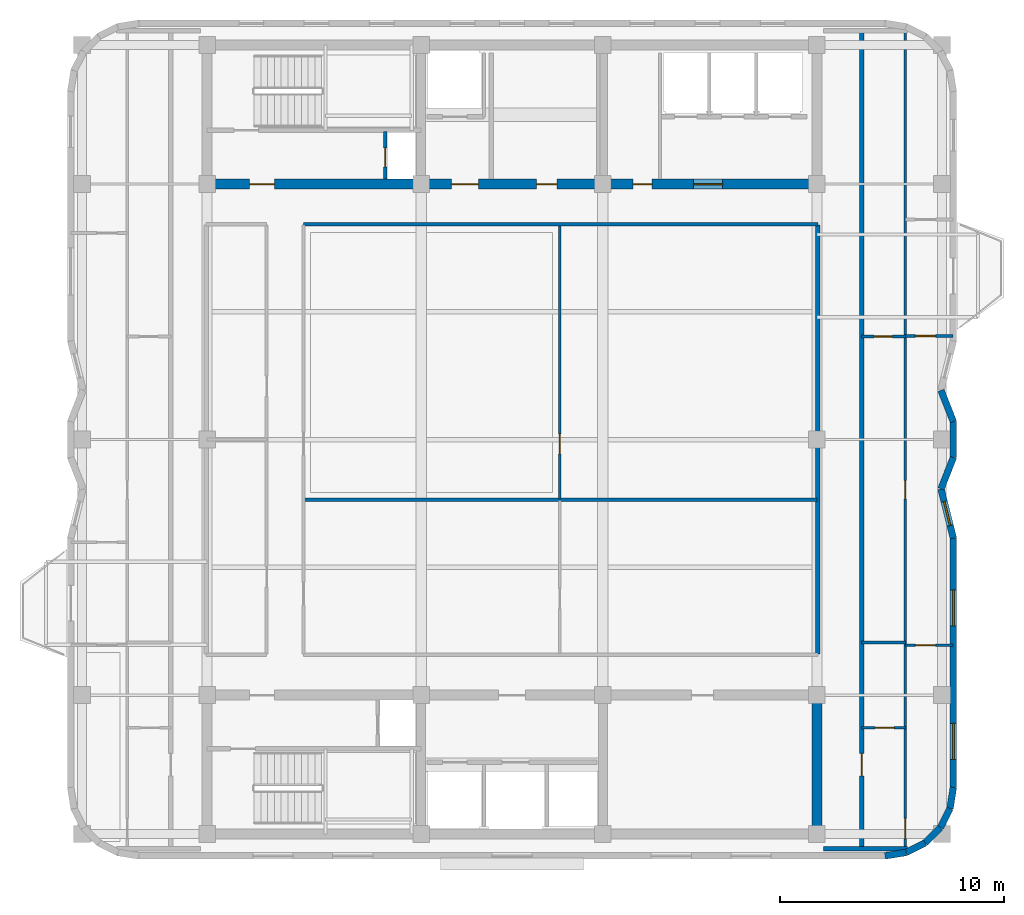
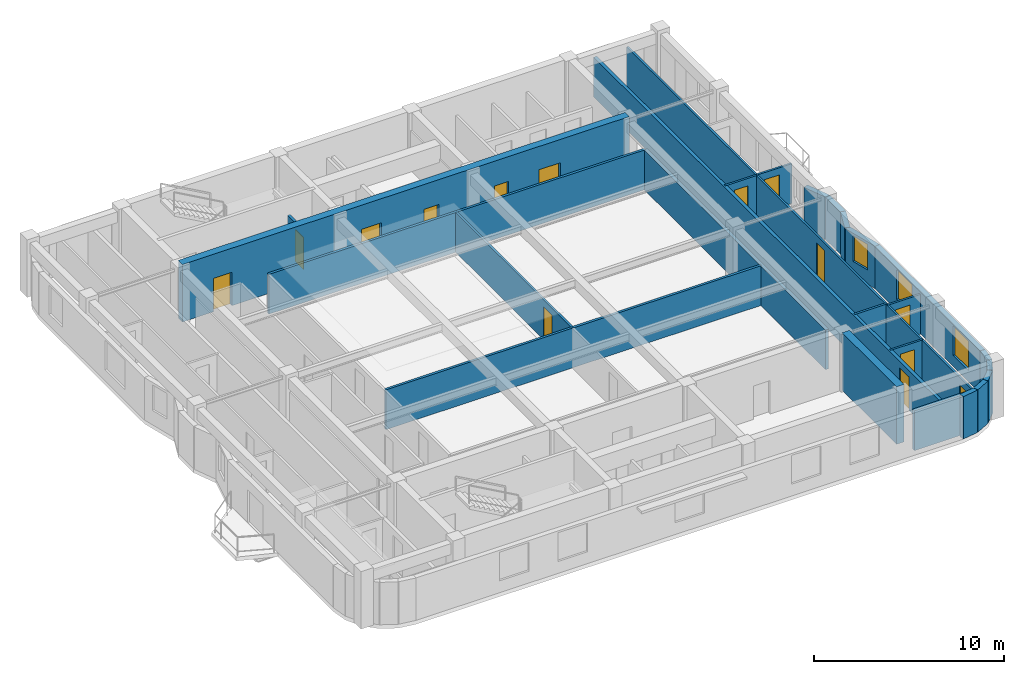
# One storey, part 4 of 8: 25 walls, 14 doors, 3 windows, 17 openings.
"""IFC4 building model written with IfcOpenShell, lengths in metres."""

import ifcopenshell
import ifcopenshell.guid

model = None  # the IFC model being written
_history = None  # IfcOwnerHistory: only IFC2X3 demands one
_inside = {}  # id of a spatial element -> (the spatial element, [elements in it])
_under = {}  # id of a project, library or spatial element -> (it, [spatial elements below it])
_declared = {}  # id of a project -> (the project, [libraries it declares])
_typed = {}  # id of a type object -> (the type object, [elements of that type])
_made_of = {}  # id of a material, layer set ... -> (it, [elements and type objects made of it])


def new_model(schema):
    """Start an empty IFC model of exactly this schema.

    Asked for "IFC4X3", IfcOpenShell would pick the latest addendum, in which some entities
    have other attributes; the version numbers below select the first issue.
    IFC2X3 requires an IfcOwnerHistory on every rooted entity: one is made here for all.
    """
    global model, _history
    if schema == "IFC4X3":
        model = ifcopenshell.file(schema_version=(4, 3, 0, 0))
    else:
        model = ifcopenshell.file(schema=schema)
    _inside.clear()
    _under.clear()
    _declared.clear()
    _typed.clear()
    _made_of.clear()
    _history = None
    if model.schema == "IFC2X3":
        org = make("IfcOrganization", Name="unknown")
        user = make(
            "IfcPersonAndOrganization",
            ThePerson=make("IfcPerson", FamilyName="unknown"),
            TheOrganization=org,
        )
        app = make(
            "IfcApplication",
            ApplicationDeveloper=org,
            Version="unknown",
            ApplicationFullName="unknown",
            ApplicationIdentifier="unknown",
        )
        _history = make(
            "IfcOwnerHistory",
            OwningUser=user,
            OwningApplication=app,
            ChangeAction="ADDED",
            CreationDate=0,
        )
    return model


def make(cls, **values):
    """One entity of the class cls with the attributes given. An attribute that is None is left unset."""
    return model.create_entity(
        cls, **{name: value for name, value in values.items() if value is not None}
    )


def rooted(cls, **values):
    """An entity with a GlobalId (a new one), such as an element, a storey or a relation."""
    return make(cls, GlobalId=ifcopenshell.guid.new(), OwnerHistory=_history, **values)


def si_unit(unit_type, name, prefix=None):
    """IfcSIUnit, for example si_unit("LENGTHUNIT", "METRE", prefix="MILLI")."""
    return make("IfcSIUnit", UnitType=unit_type, Prefix=prefix, Name=name)


def assignment(units):
    """IfcUnitAssignment: the units of a project."""
    return None if units is None else make("IfcUnitAssignment", Units=units)


def point(xyz):
    """IfcCartesianPoint."""
    return None if xyz is None else make("IfcCartesianPoint", Coordinates=xyz)


def direction(xyz):
    """IfcDirection."""
    return None if xyz is None else make("IfcDirection", DirectionRatios=xyz)


def frame(location, z_axis=None, x_axis=None):
    """IfcAxis2Placement3D, a coordinate frame: its origin and axes. An axis left out is left unset."""
    return make(
        "IfcAxis2Placement3D",
        Location=point(location),
        Axis=direction(z_axis),
        RefDirection=direction(x_axis),
    )


def frame_2d(location, x_axis=None):
    """IfcAxis2Placement2D, a coordinate frame in the plane: its origin and x axis."""
    return make(
        "IfcAxis2Placement2D", Location=point(location), RefDirection=direction(x_axis)
    )


def origin():
    """The frame at (0, 0, 0) with its axes left unset."""
    return frame((0.0, 0.0, 0.0))


def place(relative_to, where):
    """IfcLocalPlacement: puts the frame where relative to a parent placement (None: the world)."""
    return make(
        "IfcLocalPlacement", PlacementRelTo=relative_to, RelativePlacement=where
    )


def context(
    kind, dimensions, precision=None, world=None, true_north=None, identifier=None
):
    """IfcGeometricRepresentationContext, for example the 3D "Model" context."""
    return make(
        "IfcGeometricRepresentationContext",
        ContextIdentifier=identifier,
        ContextType=kind,
        CoordinateSpaceDimension=dimensions,
        Precision=precision,
        WorldCoordinateSystem=world,
        TrueNorth=true_north,
    )


def subcontext(parent, identifier, kind, view, scale=None):
    """IfcGeometricRepresentationSubContext, for example "Body" below "Model"."""
    return make(
        "IfcGeometricRepresentationSubContext",
        ContextIdentifier=identifier,
        ContextType=kind,
        ParentContext=parent,
        TargetScale=scale,
        TargetView=view,
    )


def project(units=None, contexts=None):
    """IfcProject with its units and contexts."""
    return rooted(
        "IfcProject",
        Name="project",
        RepresentationContexts=contexts,
        UnitsInContext=assignment(units),
    )


def spatial(cls, under=None, at=None, **own):
    """A site, building, storey or space (cls), placed at a placement, below another one or the project."""
    s = rooted(cls, ObjectPlacement=at, **own)
    if under is not None:
        _under.setdefault(under.id(), (under, []))[1].append(s)
    return s


def profile(cls, at=None, kind="AREA", **sizes):
    """A parametric profile (cls). Its sizes go by their IFC names, for example OverallWidth=200.0."""
    return make(cls, ProfileType=kind, Position=at, **sizes)


def rectangle(**sizes):
    """IfcRectangleProfileDef."""
    return profile("IfcRectangleProfileDef", **sizes)


def extrude(swept, where, along, depth):
    """IfcExtrudedAreaSolid: the profile swept, set in the frame where, extruded along a direction by depth."""
    return make(
        "IfcExtrudedAreaSolid",
        SweptArea=swept,
        Position=where,
        ExtrudedDirection=direction(along),
        Depth=depth,
    )


def shape(context_of_items, identifier, shape_type, items):
    """IfcShapeRepresentation: the items that make up one representation, for example the "Body"."""
    return make(
        "IfcShapeRepresentation",
        ContextOfItems=context_of_items,
        RepresentationIdentifier=identifier,
        RepresentationType=shape_type,
        Items=items,
    )


def material(Name=None, Category=None):
    """IfcMaterial."""
    return make("IfcMaterial", Name=Name, Category=Category)


def layer(
    of_material, thickness, ventilated=None, Name=None, Category=None, Priority=None
):
    """IfcMaterialLayer: one layer of a wall or slab, of a material (None: an air gap)."""
    return make(
        "IfcMaterialLayer",
        Material=of_material,
        LayerThickness=thickness,
        IsVentilated=ventilated,
        Name=Name,
        Category=Category,
        Priority=Priority,
    )


def layer_set(layers, Name=None):
    """IfcMaterialLayerSet."""
    return make("IfcMaterialLayerSet", MaterialLayers=layers, LayerSetName=Name)


def made_of(thing, what):
    """Note that an element or type object is made of a material, layer set ...; save() writes the relation."""
    if what is not None:
        _made_of.setdefault(what.id(), (what, []))[1].append(thing)
    return thing


def type_object(cls, material=None, **own):
    """A type object (cls), such as IfcWallType, which elements share."""
    return made_of(rooted(cls, **own), material)


def element(
    cls,
    number,
    at=None,
    inside=None,
    cuts=None,
    type_object=None,
    material=None,
    context=None,
    identifier="Body",
    shape_type=None,
    held_by="IfcProductDefinitionShape",
    body=None,
    shapes=None,
    **own,
):
    """One element of the class cls, such as IfcWall. Its Tag is "e" and its number.

    at: its placement. inside: the storey or other place that contains it. cuts: it is an
    opening in that element (IfcRelVoidsElement). A single representation is given by context,
    identifier, shape_type and body (its items); several are given by shapes. held_by: the class
    of the entity that holds the representations. save() writes the other relations.
    """
    e = rooted(cls, Tag="e%d" % number, ObjectPlacement=at, **own)
    if body is not None:
        shapes = [shape(context, identifier, shape_type, body)]
    if shapes is not None:
        e.Representation = make(held_by, Representations=shapes)
    if inside is not None:
        _inside.setdefault(inside.id(), (inside, []))[1].append(e)
    if cuts is not None:
        rooted(
            "IfcRelVoidsElement", RelatingBuildingElement=cuts, RelatedOpeningElement=e
        )
    if type_object is not None:
        _typed.setdefault(type_object.id(), (type_object, []))[1].append(e)
    return made_of(e, material)


def fill(opening, filler):
    """IfcRelFillsElement: the door or window that sits in an opening."""
    return rooted(
        "IfcRelFillsElement",
        RelatingOpeningElement=opening,
        RelatedBuildingElement=filler,
    )


def aggregate(whole, parts):
    """IfcRelAggregates: a whole, such as a stair, and the parts it consists of."""
    return rooted("IfcRelAggregates", RelatingObject=whole, RelatedObjects=parts)


def save(model, path):
    """Write the relations noted so far, then the file.

    IfcRelAggregates (storeys below a building ...), IfcRelContainedInSpatialStructure (elements
    in a storey), IfcRelDefinesByType, IfcRelAssociatesMaterial and IfcRelDeclares: one each for
    every whole, place, type object, material and project.
    """
    for whole, parts in _under.values():
        aggregate(whole, parts)
    for where, things in _inside.values():
        rooted(
            "IfcRelContainedInSpatialStructure",
            RelatedElements=things,
            RelatingStructure=where,
        )
    for kind, things in _typed.values():
        rooted("IfcRelDefinesByType", RelatedObjects=things, RelatingType=kind)
    for what, things in _made_of.values():
        rooted("IfcRelAssociatesMaterial", RelatedObjects=things, RelatingMaterial=what)
    for by, libraries in _declared.values():
        rooted("IfcRelDeclares", RelatingContext=by, RelatedDefinitions=libraries)
    model.write(path)


model = new_model("IFC4")

# Units and contexts
model_context = context("Model", 3, precision=1e-05, world=origin(), true_north=direction((0.0, 1.0)))
body_context = subcontext(model_context, "Body", "Model", "MODEL_VIEW")
ifc_project = project(units=[si_unit("LENGTHUNIT", "METRE"), si_unit("AREAUNIT", "SQUARE_METRE"), si_unit("VOLUMEUNIT", "CUBIC_METRE"), si_unit("PLANEANGLEUNIT", "RADIAN"), si_unit("MASSUNIT", "GRAM", prefix="KILO")], contexts=[model_context])

# Site, building, storey
site_placement = place(None, origin())
site = spatial("IfcSite", under=ifc_project, at=site_placement, CompositionType="ELEMENT")
building_placement = place(site_placement, origin())
building = spatial("IfcBuilding", under=site, at=building_placement, Name="Svetorya Sky Lyceum", CompositionType="ELEMENT")
storey_placement = place(building_placement, frame((0.0, 0.0, 260.199951171875)))
storey = spatial("IfcBuildingStorey", under=building, at=storey_placement, Name="L65", CompositionType="ELEMENT", Elevation=260.199951171875)

# Wall
ifc_material_1 = material(Name="Concrete C50/60", Category="concrete")
ifc_layer_1 = layer(ifc_material_1, 0.449951171875)
ifc_layer_set_1 = layer_set([ifc_layer_1], Name="Concrete C50/60")
wall_type_1 = type_object("IfcWallType", Name="WL-CORE-450", PredefinedType="SHEAR", material=ifc_layer_set_1)
wall_1_placement = place(storey_placement, frame((52.800048828125, 10.824951171875, 0.0), z_axis=(0.0, 0.0, 1.0), x_axis=(0.0, 1.0, 0.0)))
element("IfcWall", 1, at=wall_1_placement, inside=storey, type_object=wall_type_1, Name="L65 SC East Core Shear Wall", PredefinedType="SHEAR", context=body_context, shape_type="SweptSolid", body=[
    extrude(rectangle(XDim=5.75, YDim=0.449951171875, at=frame_2d((2.875, 0.0))), origin(), (0.0, 0.0, 1.0), 3.699951171875),
])

# Wall, openings, doors
wall_2_placement = place(storey_placement, frame((52.800048828125, 39.60009765625, 0.0), z_axis=(0.0, 0.0, 1.0), x_axis=(-1.0, 0.0, 0.0)))
wall_2 = element("IfcWall", 2, at=wall_2_placement, inside=storey, type_object=wall_type_1, Name="L65 NC Inner Core Shear Wall", PredefinedType="SHEAR", context=body_context, shape_type="SweptSolid", body=[
    extrude(rectangle(XDim=27.199951171875, YDim=0.449951171875, at=frame_2d((13.60009765625, 0.0))), origin(), (0.0, 0.0, 1.0), 3.699951171875),
])
opening_1_placement = place(wall_2_placement, frame((24.199951171875, 0.0, 0.0)))
opening_1 = element("IfcOpeningElement", 3, at=opening_1_placement, cuts=wall_2, Name="Opening D-ST1", PredefinedType="OPENING", context=body_context, shape_type="SweptSolid", body=[
    extrude(rectangle(XDim=1.10009765625, YDim=2.14990234375, at=frame_2d((0.550048828125, 1.074951171875))), frame((0.0, 0.23486328125, 0.0), z_axis=(0.0, -1.0, 0.0), x_axis=(1.0, 0.0, 0.0)), (0.0, 0.0, 1.0), 0.469970703125),
])
opening_2_placement = place(wall_2_placement, frame((15.10009765625, 0.0, 0.0)))
opening_2 = element("IfcOpeningElement", 4, at=opening_2_placement, cuts=wall_2, Name="Opening D-FL1", PredefinedType="OPENING", context=body_context, shape_type="SweptSolid", body=[
    extrude(rectangle(XDim=1.199951171875, YDim=2.14990234375, at=frame_2d((0.60009765625, 1.074951171875))), frame((0.0, 0.23486328125, 0.0), z_axis=(0.0, -1.0, 0.0), x_axis=(1.0, 0.0, 0.0)), (0.0, 0.0, 1.0), 0.469970703125),
])
opening_3_placement = place(wall_2_placement, frame((11.60009765625, 0.0, 0.0)))
opening_3 = element("IfcOpeningElement", 5, at=opening_3_placement, cuts=wall_2, Name="Opening D-RM1", PredefinedType="OPENING", context=body_context, shape_type="SweptSolid", body=[
    extrude(rectangle(XDim=0.89990234375, YDim=2.10009765625, at=frame_2d((0.449951171875, 1.050048828125))), frame((0.0, 0.23486328125, 0.0), z_axis=(0.0, -1.0, 0.0), x_axis=(1.0, 0.0, 0.0)), (0.0, 0.0, 1.0), 0.469970703125),
])
opening_4_placement = place(wall_2_placement, frame((7.35009765625, 0.0, 0.0)))
opening_4 = element("IfcOpeningElement", 6, at=opening_4_placement, cuts=wall_2, Name="Opening D-CWC1", PredefinedType="OPENING", context=body_context, shape_type="SweptSolid", body=[
    extrude(rectangle(XDim=0.85009765625, YDim=2.10009765625, at=frame_2d((0.425048828125, 1.050048828125))), frame((0.0, 0.23486328125, 0.0), z_axis=(0.0, -1.0, 0.0), x_axis=(1.0, 0.0, 0.0)), (0.0, 0.0, 1.0), 0.469970703125),
])
opening_5_placement = place(wall_2_placement, frame((4.199951171875, 0.0, 0.0)))
opening_5 = element("IfcOpeningElement", 7, at=opening_5_placement, cuts=wall_2, Name="Opening D-LB1", PredefinedType="OPENING", context=body_context, shape_type="SweptSolid", body=[
    extrude(rectangle(XDim=1.300048828125, YDim=2.199951171875, at=frame_2d((0.64990234375, 1.10009765625))), frame((0.0, 0.23486328125, 0.0), z_axis=(0.0, -1.0, 0.0), x_axis=(1.0, 0.0, 0.0)), (0.0, 0.0, 1.0), 0.469970703125),
])
ifc_material_2 = material(Name="Fire-rated galvanized steel core service closet door", Category="steel")
door_type_1 = type_object("IfcDoorType", Name="DR-CWET-850", OperationType="SINGLE_SWING_LEFT", PredefinedType="DOOR", material=ifc_material_2)
door_1_placement = place(opening_4_placement, origin())
door_1 = element("IfcDoor", 8, at=door_1_placement, inside=storey, type_object=door_type_1, Name="L65 High-Zone Utility Room Door", OperationType="SINGLE_SWING_LEFT", OverallHeight=2.10009765625, OverallWidth=0.85009765625, PredefinedType="DOOR", context=body_context, shape_type="SweptSolid", body=[
    extrude(rectangle(XDim=0.85009765625, YDim=2.10009765625, at=frame_2d((0.425048828125, 1.050048828125))), frame((0.0, 0.02490234375, 0.0), z_axis=(0.0, -1.0, 0.0), x_axis=(1.0, 0.0, 0.0)), (0.0, 0.0, 1.0), 0.050048828125),
])
fill(opening_4, door_1)
ifc_material_3 = material(Name="Powder-coated insulated galvanized stair fire door")
door_type_2 = type_object("IfcDoorType", Name="DR-FIRE-1100", OperationType="SINGLE_SWING_LEFT", PredefinedType="DOOR", material=ifc_material_3)
door_2_placement = place(opening_1_placement, origin())
door_2 = element("IfcDoor", 9, at=door_2_placement, inside=storey, type_object=door_type_2, Name="L65 North Stair Airlock Door", OperationType="SINGLE_SWING_LEFT", OverallHeight=2.14990234375, OverallWidth=1.10009765625, PredefinedType="DOOR", context=body_context, shape_type="SweptSolid", body=[
    extrude(rectangle(XDim=1.10009765625, YDim=2.14990234375, at=frame_2d((0.550048828125, 1.074951171875))), frame((0.0, 0.02490234375, 0.0), z_axis=(0.0, -1.0, 0.0), x_axis=(1.0, 0.0, 0.0)), (0.0, 0.0, 1.0), 0.050048828125),
])
fill(opening_1, door_2)
ifc_material_4 = material(Name="Powder-coated insulated galvanized fire door")
door_type_3 = type_object("IfcDoorType", Name="DR-FIRE-1200", OperationType="SINGLE_SWING_LEFT", PredefinedType="DOOR", material=ifc_material_4)
door_3_placement = place(opening_2_placement, origin())
door_3 = element("IfcDoor", 10, at=door_3_placement, inside=storey, type_object=door_type_3, Name="L65 North Firefighting Lift Lobby Door", OperationType="SINGLE_SWING_RIGHT", OverallHeight=2.14990234375, OverallWidth=1.199951171875, PredefinedType="DOOR", context=body_context, shape_type="SweptSolid", body=[
    extrude(rectangle(XDim=1.199951171875, YDim=2.14990234375, at=frame_2d((0.60009765625, 1.074951171875))), frame((0.0, 0.02490234375, 0.0), z_axis=(0.0, -1.0, 0.0), x_axis=(1.0, 0.0, 0.0)), (0.0, 0.0, 1.0), 0.050048828125),
])
fill(opening_2, door_3)
ifc_material_5 = material(Name="Lacquered birch veneer internal door")
door_type_4 = type_object("IfcDoorType", Name="DR-INT-900", OperationType="SINGLE_SWING_LEFT", PredefinedType="DOOR", material=ifc_material_5)
door_4_placement = place(opening_3_placement, origin())
door_4 = element("IfcDoor", 11, at=door_4_placement, inside=storey, type_object=door_type_4, Name="L65 Upper Archive Door", OperationType="SINGLE_SWING_LEFT", OverallHeight=2.10009765625, OverallWidth=0.89990234375, PredefinedType="DOOR", context=body_context, shape_type="SweptSolid", body=[
    extrude(rectangle(XDim=0.89990234375, YDim=2.10009765625, at=frame_2d((0.449951171875, 1.050048828125))), frame((0.0, 0.02490234375, 0.0), z_axis=(0.0, -1.0, 0.0), x_axis=(1.0, 0.0, 0.0)), (0.0, 0.0, 1.0), 0.050048828125),
])
fill(opening_3, door_4)
ifc_material_6 = material(Name="Glazed fire-rated aluminium lobby door", Category="aluminium")
door_type_5 = type_object("IfcDoorType", Name="DR-LOB-1300", OperationType="SINGLE_SWING_LEFT", PredefinedType="DOOR", material=ifc_material_6)
door_5_placement = place(opening_5_placement, origin())
door_5 = element("IfcDoor", 12, at=door_5_placement, inside=storey, type_object=door_type_5, Name="L65 North Passenger Lift Lobby Door", OperationType="SINGLE_SWING_LEFT", OverallHeight=2.199951171875, OverallWidth=1.300048828125, PredefinedType="DOOR", context=body_context, shape_type="SweptSolid", body=[
    extrude(rectangle(XDim=1.300048828125, YDim=2.199951171875, at=frame_2d((0.64990234375, 1.10009765625))), frame((0.0, 0.02490234375, 0.0), z_axis=(0.0, -1.0, 0.0), x_axis=(1.0, 0.0, 0.0)), (0.0, 0.0, 1.0), 0.050048828125),
])
fill(opening_5, door_5)

# Walls
ifc_material_7 = material(Name="Putilovo limestone rainscreen on autoclaved cellular masonry", Category="masonry")
ifc_layer_2 = layer(ifc_material_7, 0.300048828125)
ifc_layer_set_2 = layer_set([ifc_layer_2], Name="Putilovo limestone rainscreen on autoclaved cellular masonry")
wall_type_2 = type_object("IfcWallType", Name="WL-EXT-300", PredefinedType="SOLIDWALL", material=ifc_layer_set_2)
wall_3_placement = place(storey_placement, frame((55.840087890625, 9.6298828125, 0.0), z_axis=(0.0, 0.0, 1.0), x_axis=(0.987663181641, 0.156593229835, 0.0)))
element("IfcWall", 13, at=wall_3_placement, inside=storey, type_object=wall_type_2, Name="L65 Limestone Exterior Wall 7M", PredefinedType="SOLIDWALL", context=body_context, shape_type="SweptSolid", body=[
    extrude(rectangle(XDim=0.9541015625, YDim=0.300048828125, at=frame_2d((0.47705078125, 0.0))), origin(), (0.0, 0.0, 1.0), 2.72998046875),
])
for number, where, z_axis, x_axis, name in (
    (14, (56.782470703125, 9.779296875, 0.0), (0.0, 0.0, 1.0), (0.891076589373, 0.453852962833, 0.0), "L65 Limestone Exterior Wall 8M"),
    (15, (57.6328125, 10.21240234375, 0.0), (0.0, 0.0, 1.0), (0.707106781187, 0.707106781187, 0.0), "L65 Limestone Exterior Wall 9M"),
    (16, (58.3076171875, 10.88720703125, 0.0), (0.0, 0.0, 1.0), (0.453852962833, 0.891076589373, 0.0), "L65 Limestone Exterior Wall 10M"),
):
    element("IfcWall", number, at=place(storey_placement, frame(where, z_axis=z_axis, x_axis=x_axis)), inside=storey, type_object=wall_type_2, Name=name, PredefinedType="SOLIDWALL", context=body_context, shape_type="SweptSolid", body=[
        extrude(rectangle(XDim=0.954345703125, YDim=0.300048828125, at=frame_2d((0.47705078125, 0.0))), origin(), (0.0, 0.0, 1.0), 2.72998046875),
    ])
wall_4_placement = place(storey_placement, frame((58.74072265625, 11.737548828125, 0.0), z_axis=(0.0, 0.0, 1.0), x_axis=(0.156343617883, 0.987702725088, 0.0)))
element("IfcWall", 17, at=wall_4_placement, inside=storey, type_object=wall_type_2, Name="L65 Limestone Exterior Wall 11M", PredefinedType="SOLIDWALL", context=body_context, shape_type="SweptSolid", body=[
    extrude(rectangle(XDim=0.9541015625, YDim=0.300048828125, at=frame_2d((0.47705078125, 0.0))), origin(), (0.0, 0.0, 1.0), 2.72998046875),
])

# Wall, openings, windows
wall_5_placement = place(storey_placement, frame((58.889892578125, 12.679931640625, 0.0), z_axis=(0.0, 0.0, 1.0), x_axis=(0.0, 1.0, 0.0)))
wall_5 = element("IfcWall", 18, at=wall_5_placement, inside=storey, type_object=wall_type_2, Name="L65 Limestone Exterior Wall 12M", PredefinedType="SOLIDWALL", context=body_context, shape_type="SweptSolid", body=[
    extrude(rectangle(XDim=11.1201171875, YDim=0.300048828125, at=frame_2d((5.56005859375, 0.0))), origin(), (0.0, 0.0, 1.0), 2.72998046875),
])
opening_6_placement = place(wall_5_placement, frame((1.2548828125, 0.0, 0.7099609375)))
opening_6 = element("IfcOpeningElement", 19, at=opening_6_placement, cuts=wall_5, Name="Opening W-R4", PredefinedType="OPENING", context=body_context, shape_type="SweptSolid", body=[
    extrude(rectangle(XDim=1.60009765625, YDim=1.89990234375, at=frame_2d((0.800048828125, 0.949951171875))), frame((0.0, 0.159912109375, 0.0), z_axis=(0.0, -1.0, 0.0), x_axis=(1.0, 0.0, 0.0)), (0.0, 0.0, 1.0), 0.320068359375),
])
opening_7_placement = place(wall_5_placement, frame((7.215087890625, 0.0, 0.7099609375)))
opening_7 = element("IfcOpeningElement", 20, at=opening_7_placement, cuts=wall_5, Name="Opening W-R4", PredefinedType="OPENING", context=body_context, shape_type="SweptSolid", body=[
    extrude(rectangle(XDim=1.60009765625, YDim=1.89990234375, at=frame_2d((0.800048828125, 0.949951171875))), frame((0.0, 0.159912109375, 0.0), z_axis=(0.0, -1.0, 0.0), x_axis=(1.0, 0.0, 0.0)), (0.0, 0.0, 1.0), 0.320068359375),
])
ifc_material_8 = material(Name="Thermally broken aluminium frame with triple low-E glazing", Category="aluminium")
window_type_1 = type_object("IfcWindowType", Name="WN-RES-160", PartitioningType="DOUBLE_PANEL_VERTICAL", PredefinedType="WINDOW", material=ifc_material_8)
window_1_placement = place(opening_6_placement, origin())
window_1 = element("IfcWindow", 21, at=window_1_placement, inside=storey, type_object=window_type_1, Name="L65 Facade Window W-R4.12M.1", OverallHeight=1.89990234375, OverallWidth=1.60009765625, PartitioningType="SINGLE_PANEL", PredefinedType="WINDOW", context=body_context, shape_type="SweptSolid", body=[
    extrude(rectangle(XDim=1.60009765625, YDim=1.89990234375, at=frame_2d((0.800048828125, 0.949951171875))), frame((0.0, 0.030029296875, 0.0), z_axis=(0.0, -1.0, 0.0), x_axis=(1.0, 0.0, 0.0)), (0.0, 0.0, 1.0), 0.06005859375),
])
fill(opening_6, window_1)
window_2_placement = place(opening_7_placement, origin())
window_2 = element("IfcWindow", 22, at=window_2_placement, inside=storey, type_object=window_type_1, Name="L65 Facade Window W-R4.12M.2", OverallHeight=1.89990234375, OverallWidth=1.60009765625, PartitioningType="SINGLE_PANEL", PredefinedType="WINDOW", context=body_context, shape_type="SweptSolid", body=[
    extrude(rectangle(XDim=1.60009765625, YDim=1.89990234375, at=frame_2d((0.800048828125, 0.949951171875))), frame((0.0, 0.030029296875, 0.0), z_axis=(0.0, -1.0, 0.0), x_axis=(1.0, 0.0, 0.0)), (0.0, 0.0, 1.0), 0.06005859375),
])
fill(opening_7, window_2)

# Wall, opening, window
wall_6_placement = place(storey_placement, frame((58.889892578125, 23.800048828125, 0.0), z_axis=(0.0, 0.0, 1.0), x_axis=(-0.242459626081, 0.970161496721, 0.0)))
wall_6 = element("IfcWall", 23, at=wall_6_placement, inside=storey, type_object=wall_type_2, Name="L65 Limestone Exterior Wall 13M", PredefinedType="SOLIDWALL", context=body_context, shape_type="SweptSolid", body=[
    extrude(rectangle(XDim=2.267578125, YDim=0.300048828125, at=frame_2d((1.1337890625, 0.0))), origin(), (0.0, 0.0, 1.0), 2.72998046875),
])
opening_8_placement = place(wall_6_placement, frame((0.583984375, 0.0, 0.919921875)))
opening_8 = element("IfcOpeningElement", 24, at=opening_8_placement, cuts=wall_6, Name="Opening W-R3", PredefinedType="OPENING", context=body_context, shape_type="SweptSolid", body=[
    extrude(rectangle(XDim=1.10009765625, YDim=1.64990234375, at=frame_2d((0.550048828125, 0.824951171875))), frame((0.0, 0.159912109375, 0.0), z_axis=(0.0, -1.0, 0.0), x_axis=(1.0, 0.0, 0.0)), (0.0, 0.0, 1.0), 0.320068359375),
])
window_type_2 = type_object("IfcWindowType", Name="WN-RES-110", PartitioningType="SINGLE_PANEL", PredefinedType="WINDOW", material=ifc_material_8)
window_3_placement = place(opening_8_placement, origin())
window_3 = element("IfcWindow", 25, at=window_3_placement, inside=storey, type_object=window_type_2, Name="L65 Facade Window W-R3.13M.1", OverallHeight=1.64990234375, OverallWidth=1.10009765625, PartitioningType="SINGLE_PANEL", PredefinedType="WINDOW", context=body_context, shape_type="SweptSolid", body=[
    extrude(rectangle(XDim=1.10009765625, YDim=1.64990234375, at=frame_2d((0.550048828125, 0.824951171875))), frame((0.0, 0.030029296875, 0.0), z_axis=(0.0, -1.0, 0.0), x_axis=(1.0, 0.0, 0.0)), (0.0, 0.0, 1.0), 0.06005859375),
])
fill(opening_8, window_3)

# Walls
wall_7_placement = place(storey_placement, frame((58.340087890625, 26.0, 0.0), z_axis=(0.0, 0.0, 1.0), x_axis=(0.365561969418, 0.930787003839, 0.0)))
element("IfcWall", 26, at=wall_7_placement, inside=storey, type_object=wall_type_2, Name="L65 Limestone Exterior Wall 14M", PredefinedType="SOLIDWALL", context=body_context, shape_type="SweptSolid", body=[
    extrude(rectangle(XDim=1.50390625, YDim=0.300048828125, at=frame_2d((0.751953125, 0.0))), origin(), (0.0, 0.0, 1.0), 2.72998046875),
])
wall_8_placement = place(storey_placement, frame((58.889892578125, 27.39990234375, 0.0), z_axis=(0.0, 0.0, 1.0), x_axis=(0.0, 1.0, 0.0)))
element("IfcWall", 27, at=wall_8_placement, inside=storey, type_object=wall_type_2, Name="L65 Limestone Exterior Wall 15M", PredefinedType="SOLIDWALL", context=body_context, shape_type="SweptSolid", body=[
    extrude(rectangle(XDim=1.60009765625, YDim=0.300048828125, at=frame_2d((0.800048828125, 0.0))), origin(), (0.0, 0.0, 1.0), 2.72998046875),
])
wall_9_placement = place(storey_placement, frame((58.889892578125, 29.0, 0.0), z_axis=(0.0, 0.0, 1.0), x_axis=(-0.365561969418, 0.930787003839, 0.0)))
element("IfcWall", 28, at=wall_9_placement, inside=storey, type_object=wall_type_2, Name="L65 Limestone Exterior Wall 16M", PredefinedType="SOLIDWALL", context=body_context, shape_type="SweptSolid", body=[
    extrude(rectangle(XDim=1.50390625, YDim=0.300048828125, at=frame_2d((0.751953125, 0.0))), origin(), (0.0, 0.0, 1.0), 2.72998046875),
])

# Wall, opening, door
ifc_material_9 = material(Name="Twin-stud galvanized framing with double fireboard", Category="gypsum")
ifc_layer_3 = layer(ifc_material_9, 0.1201171875)
ifc_layer_set_3 = layer_set([ifc_layer_3], Name="Twin-stud galvanized framing with double fireboard")
wall_type_3 = type_object("IfcWallType", Name="WL-PART-120", PredefinedType="PARTITIONING", material=ifc_layer_set_3)
wall_10_placement = place(storey_placement, frame((41.3349609375, 25.560302734375, 0.0), z_axis=(0.0, 0.0, 1.0), x_axis=(0.0, 1.0, 0.0)))
wall_10 = element("IfcWall", 29, at=wall_10_placement, inside=storey, type_object=wall_type_3, Name="L65 Interior Partition OFF-VEM2", PredefinedType="PARTITIONING", context=body_context, shape_type="SweptSolid", body=[
    extrude(rectangle(XDim=12.1796875, YDim=0.1201171875, at=frame_2d((6.08984375, 0.0))), origin(), (0.0, 0.0, 1.0), 2.56005859375),
])
opening_9_placement = place(wall_10_placement, frame((2.0, 0.0, 0.0)))
opening_9 = element("IfcOpeningElement", 30, at=opening_9_placement, cuts=wall_10, Name="Opening D-RM1", PredefinedType="OPENING", context=body_context, shape_type="SweptSolid", body=[
    extrude(rectangle(XDim=0.89990234375, YDim=2.10009765625, at=frame_2d((0.449951171875, 1.050048828125))), frame((0.0, 0.070068359375, 0.0), z_axis=(0.0, -1.0, 0.0), x_axis=(1.0, 0.0, 0.0)), (0.0, 0.0, 1.0), 0.14013671875),
])
door_6_placement = place(opening_9_placement, origin())
door_6 = element("IfcDoor", 31, at=door_6_placement, inside=storey, type_object=door_type_4, Name="L65 East Focus Door", OperationType="SINGLE_SWING_RIGHT", OverallHeight=2.10009765625, OverallWidth=0.89990234375, PredefinedType="DOOR", context=body_context, shape_type="SweptSolid", body=[
    extrude(rectangle(XDim=0.89990234375, YDim=2.10009765625, at=frame_2d((0.449951171875, 1.050048828125))), frame((0.0, 0.02490234375, 0.0), z_axis=(0.0, -1.0, 0.0), x_axis=(1.0, 0.0, 0.0)), (0.0, 0.0, 1.0), 0.050048828125),
])
fill(opening_9, door_6)

wall_11_placement = place(storey_placement, frame((54.800048828125, 15.35009765625, 0.0), z_axis=(0.0, 0.0, 1.0), x_axis=(1.0, 0.0, 0.0)))
wall_11 = element("IfcWall", 32, at=wall_11_placement, inside=storey, type_object=wall_type_3, Name="L65 Interior Partition E1-WH1", PredefinedType="PARTITIONING", context=body_context, shape_type="SweptSolid", body=[
    extrude(rectangle(XDim=1.949951171875, YDim=0.1201171875, at=frame_2d((0.97509765625, 0.0))), origin(), (0.0, 0.0, 1.0), 2.56005859375),
])
opening_10_placement = place(wall_11_placement, frame((0.60009765625, 0.0, 0.0)))
opening_10 = element("IfcOpeningElement", 33, at=opening_10_placement, cuts=wall_11, Name="Opening D-BT1", PredefinedType="OPENING", context=body_context, shape_type="SweptSolid", body=[
    extrude(rectangle(XDim=0.85009765625, YDim=2.10009765625, at=frame_2d((0.425048828125, 1.050048828125))), frame((0.0, 0.070068359375, 0.0), z_axis=(0.0, -1.0, 0.0), x_axis=(1.0, 0.0, 0.0)), (0.0, 0.0, 1.0), 0.14013671875),
])
ifc_material_10 = material(Name="Moisture-resistant laminate bathroom door")
door_type_6 = type_object("IfcDoorType", Name="DR-WET-850", OperationType="SINGLE_SWING_LEFT", PredefinedType="DOOR", material=ifc_material_10)
door_7_placement = place(opening_10_placement, origin())
door_7 = element("IfcDoor", 34, at=door_7_placement, inside=storey, type_object=door_type_6, Name="Apartment E1 Bathroom Door", OperationType="SINGLE_SWING_RIGHT", OverallHeight=2.10009765625, OverallWidth=0.85009765625, PredefinedType="DOOR", context=body_context, shape_type="SweptSolid", body=[
    extrude(rectangle(XDim=0.85009765625, YDim=2.10009765625, at=frame_2d((0.425048828125, 1.050048828125))), frame((0.0, 0.02490234375, 0.0), z_axis=(0.0, -1.0, 0.0), x_axis=(1.0, 0.0, 0.0)), (0.0, 0.0, 1.0), 0.050048828125),
])
fill(opening_10, door_7)

wall_12_placement = place(storey_placement, frame((54.800048828125, 32.800048828125, 0.0), z_axis=(0.0, 0.0, 1.0), x_axis=(1.0, 0.0, 0.0)))
wall_12 = element("IfcWall", 35, at=wall_12_placement, inside=storey, type_object=wall_type_3, Name="L65 Interior Partition E1-WH3", PredefinedType="PARTITIONING", context=body_context, shape_type="SweptSolid", body=[
    extrude(rectangle(XDim=1.949951171875, YDim=0.1201171875, at=frame_2d((0.97509765625, 0.0))), origin(), (0.0, 0.0, 1.0), 2.56005859375),
])
opening_11_placement = place(wall_12_placement, frame((0.550048828125, 0.0, 0.0)))
opening_11 = element("IfcOpeningElement", 36, at=opening_11_placement, cuts=wall_12, Name="Opening D-BT2", PredefinedType="OPENING", context=body_context, shape_type="SweptSolid", body=[
    extrude(rectangle(XDim=0.820068359375, YDim=2.080078125, at=frame_2d((0.41015625, 1.0400390625))), frame((0.0, 0.070068359375, 0.0), z_axis=(0.0, -1.0, 0.0), x_axis=(1.0, 0.0, 0.0)), (0.0, 0.0, 1.0), 0.14013671875),
])
ifc_material_11 = material(Name="Compact moisture-resistant laminate closet door")
door_type_7 = type_object("IfcDoorType", Name="DR-WET-820", OperationType="SINGLE_SWING_LEFT", PredefinedType="DOOR", material=ifc_material_11)
door_8_placement = place(opening_11_placement, origin())
door_8 = element("IfcDoor", 37, at=door_8_placement, inside=storey, type_object=door_type_7, Name="Apartment E1 Laundry Door", OperationType="SINGLE_SWING_LEFT", OverallHeight=2.080078125, OverallWidth=0.820068359375, PredefinedType="DOOR", context=body_context, shape_type="SweptSolid", body=[
    extrude(rectangle(XDim=0.820068359375, YDim=2.080078125, at=frame_2d((0.41015625, 1.0400390625))), frame((0.0, 0.02490234375, 0.0), z_axis=(0.0, -1.0, 0.0), x_axis=(1.0, 0.0, 0.0)), (0.0, 0.0, 1.0), 0.050048828125),
])
fill(opening_11, door_8)

wall_13_placement = place(storey_placement, frame((56.75, 19.02001953125, 0.0), z_axis=(0.0, 0.0, 1.0), x_axis=(1.0, 0.0, 0.0)))
wall_13 = element("IfcWall", 38, at=wall_13_placement, inside=storey, type_object=wall_type_3, Name="L65 Interior Partition E1-WL1", PredefinedType="PARTITIONING", context=body_context, shape_type="SweptSolid", body=[
    extrude(rectangle(XDim=2.1201171875, YDim=0.1201171875, at=frame_2d((1.06005859375, 0.0))), origin(), (0.0, 0.0, 1.0), 2.56005859375),
])
opening_12_placement = place(wall_13_placement, frame((0.449951171875, 0.0, 0.0)))
opening_12 = element("IfcOpeningElement", 39, at=opening_12_placement, cuts=wall_13, Name="Opening D-RM1", PredefinedType="OPENING", context=body_context, shape_type="SweptSolid", body=[
    extrude(rectangle(XDim=0.89990234375, YDim=2.10009765625, at=frame_2d((0.449951171875, 1.050048828125))), frame((0.0, 0.070068359375, 0.0), z_axis=(0.0, -1.0, 0.0), x_axis=(1.0, 0.0, 0.0)), (0.0, 0.0, 1.0), 0.14013671875),
])
door_9_placement = place(opening_12_placement, origin())
door_9 = element("IfcDoor", 40, at=door_9_placement, inside=storey, type_object=door_type_4, Name="Apartment E1 Master Bedroom Door", OperationType="SINGLE_SWING_RIGHT", OverallHeight=2.10009765625, OverallWidth=0.89990234375, PredefinedType="DOOR", context=body_context, shape_type="SweptSolid", body=[
    extrude(rectangle(XDim=0.89990234375, YDim=2.10009765625, at=frame_2d((0.449951171875, 1.050048828125))), frame((0.0, 0.02490234375, 0.0), z_axis=(0.0, -1.0, 0.0), x_axis=(1.0, 0.0, 0.0)), (0.0, 0.0, 1.0), 0.050048828125),
])
fill(opening_12, door_9)

wall_14_placement = place(storey_placement, frame((56.75, 32.820068359375, 0.0), z_axis=(0.0, 0.0, 1.0), x_axis=(1.0, 0.0, 0.0)))
wall_14 = element("IfcWall", 41, at=wall_14_placement, inside=storey, type_object=wall_type_3, Name="L65 Interior Partition E1-WL2", PredefinedType="PARTITIONING", context=body_context, shape_type="SweptSolid", body=[
    extrude(rectangle(XDim=2.1201171875, YDim=0.1201171875, at=frame_2d((1.06005859375, 0.0))), origin(), (0.0, 0.0, 1.0), 2.56005859375),
])
opening_13_placement = place(wall_14_placement, frame((0.449951171875, 0.0, 0.0)))
opening_13 = element("IfcOpeningElement", 42, at=opening_13_placement, cuts=wall_14, Name="Opening D-RM1", PredefinedType="OPENING", context=body_context, shape_type="SweptSolid", body=[
    extrude(rectangle(XDim=0.89990234375, YDim=2.10009765625, at=frame_2d((0.449951171875, 1.050048828125))), frame((0.0, 0.070068359375, 0.0), z_axis=(0.0, -1.0, 0.0), x_axis=(1.0, 0.0, 0.0)), (0.0, 0.0, 1.0), 0.14013671875),
])
door_10_placement = place(opening_13_placement, origin())
door_10 = element("IfcDoor", 43, at=door_10_placement, inside=storey, type_object=door_type_4, Name="Apartment E1 Bedroom 2 Door", OperationType="SINGLE_SWING_LEFT", OverallHeight=2.10009765625, OverallWidth=0.89990234375, PredefinedType="DOOR", context=body_context, shape_type="SweptSolid", body=[
    extrude(rectangle(XDim=0.89990234375, YDim=2.10009765625, at=frame_2d((0.449951171875, 1.050048828125))), frame((0.0, 0.02490234375, 0.0), z_axis=(0.0, -1.0, 0.0), x_axis=(1.0, 0.0, 0.0)), (0.0, 0.0, 1.0), 0.050048828125),
])
fill(opening_13, door_10)

# Wall, openings, doors
wall_15_placement = place(storey_placement, frame((56.75, 9.989990234375, 0.0), z_axis=(0.0, 0.0, 1.0), x_axis=(0.0, 1.0, 0.0)))
wall_15 = element("IfcWall", 44, at=wall_15_placement, inside=storey, type_object=wall_type_3, Name="L65 Interior Partition E1-WV", PredefinedType="PARTITIONING", context=body_context, shape_type="SweptSolid", body=[
    extrude(rectangle(XDim=36.419921875, YDim=0.1201171875, at=frame_2d((18.2099609375, 0.0))), origin(), (0.0, 0.0, 1.0), 2.56005859375),
])
opening_14_placement = place(wall_15_placement, frame((0.409912109375, 0.0, 0.0)))
opening_14 = element("IfcOpeningElement", 45, at=opening_14_placement, cuts=wall_15, Name="Opening D-RM1", PredefinedType="OPENING", context=body_context, shape_type="SweptSolid", body=[
    extrude(rectangle(XDim=0.89990234375, YDim=2.10009765625, at=frame_2d((0.449951171875, 1.050048828125))), frame((0.0, 0.070068359375, 0.0), z_axis=(0.0, -1.0, 0.0), x_axis=(1.0, 0.0, 0.0)), (0.0, 0.0, 1.0), 0.14013671875),
])
opening_15_placement = place(wall_15_placement, frame((15.56005859375, 0.0, 0.0)))
opening_15 = element("IfcOpeningElement", 46, at=opening_15_placement, cuts=wall_15, Name="Opening D-BT2", PredefinedType="OPENING", context=body_context, shape_type="SweptSolid", body=[
    extrude(rectangle(XDim=0.820068359375, YDim=2.080078125, at=frame_2d((0.41015625, 1.0400390625))), frame((0.0, 0.070068359375, 0.0), z_axis=(0.0, -1.0, 0.0), x_axis=(1.0, 0.0, 0.0)), (0.0, 0.0, 1.0), 0.14013671875),
])
door_11_placement = place(opening_14_placement, origin())
door_11 = element("IfcDoor", 47, at=door_11_placement, inside=storey, type_object=door_type_4, Name="Apartment E1 Living Door", OperationType="SINGLE_SWING_LEFT", OverallHeight=2.10009765625, OverallWidth=0.89990234375, PredefinedType="DOOR", context=body_context, shape_type="SweptSolid", body=[
    extrude(rectangle(XDim=0.89990234375, YDim=2.10009765625, at=frame_2d((0.449951171875, 1.050048828125))), frame((0.0, 0.02490234375, 0.0), z_axis=(0.0, -1.0, 0.0), x_axis=(1.0, 0.0, 0.0)), (0.0, 0.0, 1.0), 0.050048828125),
])
fill(opening_14, door_11)
door_12_placement = place(opening_15_placement, origin())
door_12 = element("IfcDoor", 48, at=door_12_placement, inside=storey, type_object=door_type_7, Name="Apartment E1 Study Door", OperationType="SINGLE_SWING_RIGHT", OverallHeight=2.080078125, OverallWidth=0.820068359375, PredefinedType="DOOR", context=body_context, shape_type="SweptSolid", body=[
    extrude(rectangle(XDim=0.820068359375, YDim=2.080078125, at=frame_2d((0.41015625, 1.0400390625))), frame((0.0, 0.02490234375, 0.0), z_axis=(0.0, -1.0, 0.0), x_axis=(1.0, 0.0, 0.0)), (0.0, 0.0, 1.0), 0.050048828125),
])
fill(opening_15, door_12)

# Wall
ifc_material_12 = material(Name="Twin-stud galvanized framing with acoustic board", Category="gypsum")
ifc_layer_4 = layer(ifc_material_12, 0.135009765625)
ifc_layer_set_4 = layer_set([ifc_layer_4], Name="Twin-stud galvanized framing with acoustic board")
wall_type_4 = type_object("IfcWallType", Name="WL-PART-135", PredefinedType="PARTITIONING", material=ifc_layer_set_4)
wall_16_placement = place(storey_placement, frame((54.800048828125, 19.14990234375, 0.0), z_axis=(0.0, 0.0, 1.0), x_axis=(1.0, 0.0, 0.0)))
element("IfcWall", 49, at=wall_16_placement, inside=storey, type_object=wall_type_4, Name="L65 Interior Partition E1-WH2", PredefinedType="PARTITIONING", context=body_context, shape_type="SweptSolid", body=[
    extrude(rectangle(XDim=1.949951171875, YDim=0.135009765625, at=frame_2d((0.97509765625, 0.0))), origin(), (0.0, 0.0, 1.0), 2.56005859375),
])

# Wall, opening, door
ifc_material_13 = material(Name="Autoclaved cellular masonry blockwork with acoustic render", Category="masonry")
ifc_layer_5 = layer(ifc_material_13, 0.14990234375)
ifc_layer_set_5 = layer_set([ifc_layer_5], Name="Autoclaved cellular masonry blockwork with acoustic render")
wall_type_5 = type_object("IfcWallType", Name="WL-PART-150", PredefinedType="PARTITIONING", material=ifc_layer_set_5)
wall_17_placement = place(storey_placement, frame((33.550048828125, 39.820068359375, 0.0), z_axis=(0.0, 0.0, 1.0), x_axis=(0.0, 1.0, 0.0)))
wall_17 = element("IfcWall", 50, at=wall_17_placement, inside=storey, type_object=wall_type_5, Name="L65 Interior Partition NC-RSRW", PredefinedType="PARTITIONING", context=body_context, shape_type="SweptSolid", body=[
    extrude(rectangle(XDim=2.1298828125, YDim=0.14990234375, at=frame_2d((1.06494140625, 0.0))), origin(), (0.0, 0.0, 1.0), 2.56005859375),
])
opening_16_placement = place(wall_17_placement, frame((0.550048828125, 0.0, 0.0)))
opening_16 = element("IfcOpeningElement", 51, at=opening_16_placement, cuts=wall_17, Name="Opening D-SH1", PredefinedType="OPENING", context=body_context, shape_type="SweptSolid", body=[
    extrude(rectangle(XDim=0.85009765625, YDim=2.050048828125, at=frame_2d((0.425048828125, 1.02490234375))), frame((0.0, 0.0849609375, 0.0), z_axis=(0.0, -1.0, 0.0), x_axis=(1.0, 0.0, 0.0)), (0.0, 0.0, 1.0), 0.169921875),
])
ifc_material_14 = material(Name="Insulated galvanized riser inspection fire door")
door_type_8 = type_object("IfcDoorType", Name="DR-SHFT-850", OperationType="SINGLE_SWING_LEFT", PredefinedType="TRAPDOOR", material=ifc_material_14)
door_13_placement = place(opening_16_placement, origin())
door_13 = element("IfcDoor", 52, at=door_13_placement, inside=storey, type_object=door_type_8, Name="L65 North Riser Access Door", OperationType="SINGLE_SWING_LEFT", OverallHeight=2.050048828125, OverallWidth=0.85009765625, PredefinedType="TRAPDOOR", context=body_context, shape_type="SweptSolid", body=[
    extrude(rectangle(XDim=0.85009765625, YDim=2.050048828125, at=frame_2d((0.425048828125, 1.02490234375))), frame((0.0, 0.02490234375, 0.0), z_axis=(0.0, -1.0, 0.0), x_axis=(1.0, 0.0, 0.0)), (0.0, 0.0, 1.0), 0.050048828125),
])
fill(opening_16, door_13)

# Walls
wall_18_placement = place(storey_placement, frame((29.89990234375, 37.800048828125, 0.0), z_axis=(0.0, 0.0, 1.0), x_axis=(1.0, 0.0, 0.0)))
element("IfcWall", 53, at=wall_18_placement, inside=storey, type_object=wall_type_5, Name="L65 Interior Partition OFF-CN-E", PredefinedType="PARTITIONING", context=body_context, shape_type="SweptSolid", body=[
    extrude(rectangle(XDim=22.9501953125, YDim=0.14990234375, at=frame_2d((11.47509765625, 0.0))), origin(), (0.0, 0.0, 1.0), 2.56005859375),
])
wall_19_placement = place(storey_placement, frame((29.929931640625, 25.5205078125, 0.0), z_axis=(0.0, 0.0, 1.0), x_axis=(1.0, 0.0, 0.0)))
element("IfcWall", 54, at=wall_19_placement, inside=storey, type_object=wall_type_5, Name="L65 Interior Partition OFF-HE", PredefinedType="PARTITIONING", context=body_context, shape_type="SweptSolid", body=[
    extrude(rectangle(XDim=22.8701171875, YDim=0.14990234375, at=frame_2d((11.43505859375, 0.0))), origin(), (0.0, 0.0, 1.0), 2.56005859375),
])
ifc_material_15 = material(Name="Autoclaved cellular masonry blockwork with gypsum plaster", Category="masonry")
ifc_layer_6 = layer(ifc_material_15, 0.199951171875)
ifc_layer_set_6 = layer_set([ifc_layer_6], Name="Autoclaved cellular masonry blockwork with gypsum plaster")
wall_type_6 = type_object("IfcWallType", Name="WL-PART-200", PredefinedType="PARTITIONING", material=ifc_layer_set_6)
wall_20_placement = place(storey_placement, frame((52.85009765625, 18.6298828125, 0.0), z_axis=(0.0, 0.0, 1.0), x_axis=(0.0, 1.0, 0.0)))
element("IfcWall", 55, at=wall_20_placement, inside=storey, type_object=wall_type_6, Name="L65 Interior Partition E-CEN-SEP", PredefinedType="PARTITIONING", context=body_context, shape_type="SweptSolid", body=[
    extrude(rectangle(XDim=19.14013671875, YDim=0.199951171875, at=frame_2d((9.570068359375, 0.0))), origin(), (0.0, 0.0, 1.0), 2.56005859375),
])

# Wall, opening, door
wall_21_placement = place(storey_placement, frame((54.800048828125, 9.949951171875, 0.0), z_axis=(0.0, 0.0, 1.0), x_axis=(0.0, 1.0, 0.0)))
wall_21 = element("IfcWall", 56, at=wall_21_placement, inside=storey, type_object=wall_type_6, Name="L65 Interior Partition E-CORRW", PredefinedType="PARTITIONING", context=body_context, shape_type="SweptSolid", body=[
    extrude(rectangle(XDim=36.5, YDim=0.199951171875, at=frame_2d((18.25, 0.0))), origin(), (0.0, 0.0, 1.0), 2.56005859375),
])
opening_17_placement = place(wall_21_placement, frame((3.25, 0.0, 0.0)))
opening_17 = element("IfcOpeningElement", 57, at=opening_17_placement, cuts=wall_21, Name="Opening D-APT1", PredefinedType="OPENING", context=body_context, shape_type="SweptSolid", body=[
    extrude(rectangle(XDim=1.0, YDim=2.14990234375, at=frame_2d((0.5, 1.074951171875))), frame((0.0, 0.10986328125, 0.0), z_axis=(0.0, -1.0, 0.0), x_axis=(1.0, 0.0, 0.0)), (0.0, 0.0, 1.0), 0.219970703125),
])
ifc_material_16 = material(Name="Insulated oak-veneered apartment entrance door")
door_type_9 = type_object("IfcDoorType", Name="DR-APT-1000", OperationType="SINGLE_SWING_LEFT", PredefinedType="DOOR", material=ifc_material_16)
door_14_placement = place(opening_17_placement, origin())
door_14 = element("IfcDoor", 58, at=door_14_placement, inside=storey, type_object=door_type_9, Name="L65 Apartment E1 Entrance Door", OperationType="SINGLE_SWING_RIGHT", OverallHeight=2.14990234375, OverallWidth=1.0, PredefinedType="DOOR", context=body_context, shape_type="SweptSolid", body=[
    extrude(rectangle(XDim=1.0, YDim=2.14990234375, at=frame_2d((0.5, 1.074951171875))), frame((0.0, 0.02490234375, 0.0), z_axis=(0.0, -1.0, 0.0), x_axis=(1.0, 0.0, 0.0)), (0.0, 0.0, 1.0), 0.050048828125),
])
fill(opening_17, door_14)

# Wall
wall_22_placement = place(storey_placement, frame((53.10009765625, 9.949951171875, 0.0), z_axis=(0.0, 0.0, 1.0), x_axis=(1.0, 0.0, 0.0)))
element("IfcWall", 59, at=wall_22_placement, inside=storey, type_object=wall_type_6, Name="L65 Interior Partition E-CAP-S", PredefinedType="PARTITIONING", context=body_context, shape_type="SweptSolid", body=[
    extrude(rectangle(XDim=3.75390625, YDim=0.199951171875, at=frame_2d((1.876953125, 0.0))), origin(), (0.0, 0.0, 1.0), 2.56005859375),
])

save(model, "model.ifc")
